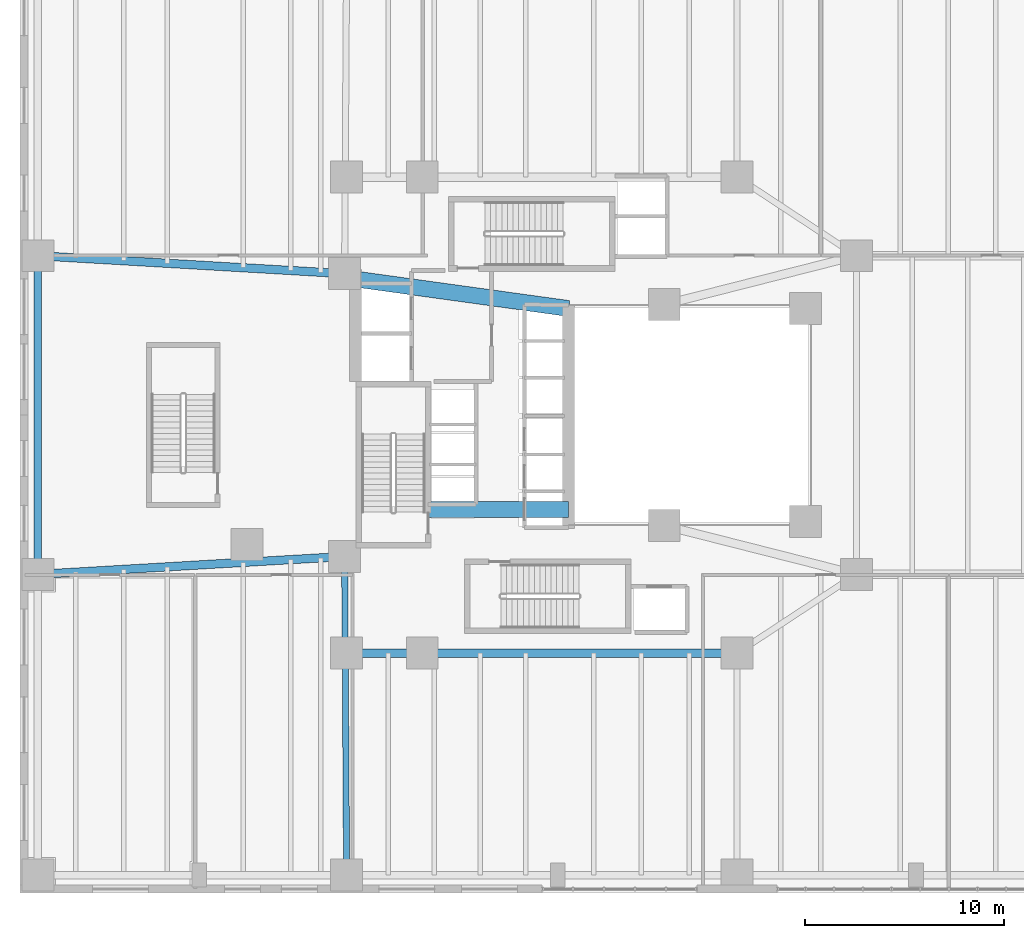
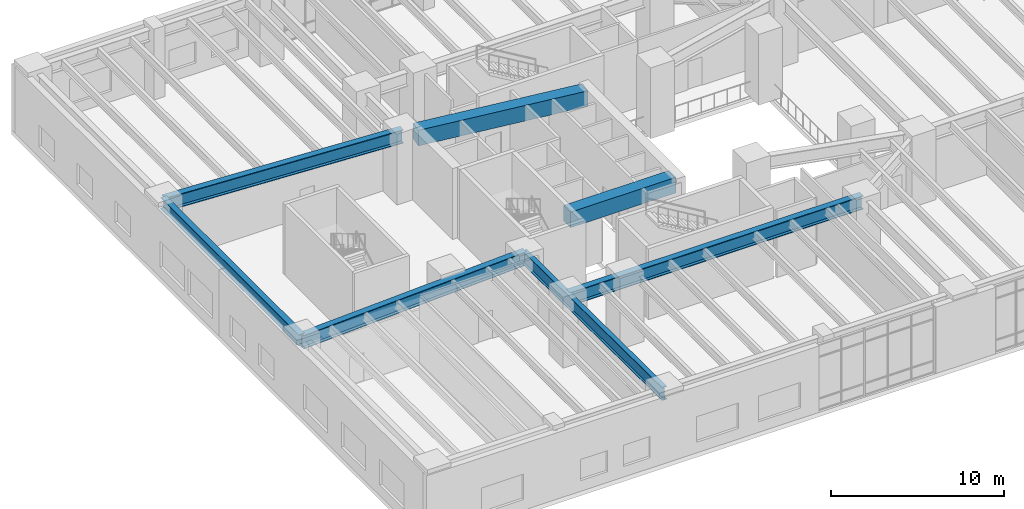
# One storey, part 3 of 26: 7 beams.
"""IFC4 building model written with IfcOpenShell, lengths in metres."""

from ifc_helpers import new_model, si_unit, direction, frame, origin, origin_2d, place, context, subcontext, project, spatial, rectangle, i_section, extrude, material, material_profile, profile_set, type_object, element, save


model = new_model("IFC4")

# Units and contexts
model_context = context("Model", 3, precision=1e-05, world=origin(), true_north=direction((0.0, 1.0)))
body_context = subcontext(model_context, "Body", "Model", "MODEL_VIEW")
ifc_project = project(units=[si_unit("LENGTHUNIT", "METRE"), si_unit("AREAUNIT", "SQUARE_METRE"), si_unit("VOLUMEUNIT", "CUBIC_METRE"), si_unit("PLANEANGLEUNIT", "RADIAN"), si_unit("MASSUNIT", "GRAM", prefix="KILO"), si_unit("THERMODYNAMICTEMPERATUREUNIT", "KELVIN"), si_unit("POWERUNIT", "WATT")], contexts=[model_context])

# Site, building, storey
site_placement = place(None, origin())
site = spatial("IfcSite", under=ifc_project, at=site_placement, CompositionType="ELEMENT")
building_placement = place(site_placement, origin())
building = spatial("IfcBuilding", under=site, at=building_placement, Name="Skarre Station Tower", CompositionType="ELEMENT")
storey_placement = place(building_placement, frame((0.0, 0.0, 6.0)))
storey = spatial("IfcBuildingStorey", under=building, at=storey_placement, Name="L02", CompositionType="ELEMENT", Elevation=6.0)

# Beams
ifc_material_1 = material(Name="Concrete C70/85", Category="concrete")
ifc_material_profile_1 = material_profile(ifc_material_1, rectangle(XDim=0.800048828125, YDim=1.10009765625, at=origin_2d()), Name="Concrete C70/85")
ifc_profile_set_1 = profile_set([ifc_material_profile_1], Name="Concrete C70/85")
beam_type_1 = type_object("IfcBeamType", Name="RC Core Coupling Lintel 800x1100", PredefinedType="LINTEL", material=ifc_profile_set_1)
beam_1_placement = place(storey_placement, frame((20.489990234375, 19.260009765625, 4.139892578125), z_axis=(1.0, 0.0, 0.0), x_axis=(0.0, 1.0, 0.0)))
element("IfcBeam", 1, at=beam_1_placement, inside=storey, type_object=beam_type_1, Name="L02 South Core Coupling Lintel", PredefinedType="LINTEL", context=body_context, shape_type="SweptSolid", body=[
    extrude(rectangle(XDim=0.800048828125, YDim=1.10009765625, at=origin_2d()), origin(), (0.0, 0.0, 1.0), 7.06005859375),
])
beam_2_placement = place(storey_placement, frame((17.050048828125, 30.800048828125, 4.139892578125), z_axis=(0.990599723633, -0.136792498109, 0.0), x_axis=(0.136792498109, 0.990599723633, 0.0)))
element("IfcBeam", 2, at=beam_2_placement, inside=storey, type_object=beam_type_1, Name="L02 North Core Coupling Lintel", PredefinedType="LINTEL", context=body_context, shape_type="SweptSolid", body=[
    extrude(rectangle(XDim=0.800048828125, YDim=1.10009765625, at=origin_2d()), origin(), (0.0, 0.0, 1.0), 10.599609375),
])
ifc_material_2 = material(Name="Steel ASTM A992 Grade 50", Category="steel")
ifc_material_profile_2 = material_profile(ifc_material_2, i_section(OverallWidth=0.30810546875, OverallDepth=0.927001953125, WebThickness=0.01904296875, FlangeThickness=0.031982421875, at=origin_2d()), Name="Steel ASTM A992 Grade 50")
ifc_profile_set_2 = profile_set([ifc_material_profile_2], Name="Steel ASTM A992 Grade 50")
beam_type_2 = type_object("IfcBeamType", Name="Steel Beam W36X194", PredefinedType="BEAM", material=ifc_profile_set_2)
beam_3_placement = place(storey_placement, frame((16.39990234375, 0.89990234375, 4.22607421875), z_axis=(-0.006240723195, 0.999980526497, 0.0), x_axis=(-0.999980526497, -0.006240723195, 0.0)))
element("IfcBeam", 3, at=beam_3_placement, inside=storey, type_object=beam_type_2, Name="L02 Concourse Transverse Girder NS1", PredefinedType="BEAM", context=body_context, shape_type="SweptSolid", body=[
    extrude(i_section(OverallWidth=0.30810546875, OverallDepth=0.927001953125, WebThickness=0.01904296875, FlangeThickness=0.031982421875, at=origin_2d()), origin(), (0.0, 0.0, 1.0), 16.000244140625),
])
ifc_material_profile_3 = material_profile(ifc_material_2, i_section(OverallWidth=0.423095703125, OverallDepth=0.947998046875, WebThickness=0.02392578125, FlangeThickness=0.04296875, at=origin_2d()), Name="Steel ASTM A992 Grade 50")
ifc_profile_set_3 = profile_set([ifc_material_profile_3], Name="Steel ASTM A992 Grade 50")
beam_type_3 = type_object("IfcBeamType", Name="Steel Beam W36X302", PredefinedType="BEAM", material=ifc_profile_set_3)
for number, where, z_axis, x_axis, name in (
    (4, (0.89990234375, 16.0, 4.216064453125), (0.99829705511, 0.05833515029, 0.0), (-0.05833515029, 0.99829705511, 0.0), "L02 Concourse Primary Girder EW1"),
    (5, (0.89990234375, 32.0, 4.216064453125), (0.99829705511, -0.05833515029, 0.0), (0.05833515029, 0.99829705511, 0.0), "L02 Concourse Primary Girder EW5"),
):
    element("IfcBeam", number, at=place(storey_placement, frame(where, z_axis=z_axis, x_axis=x_axis)), inside=storey, type_object=beam_type_3, Name=name, PredefinedType="BEAM", context=body_context, shape_type="SweptSolid", body=[
        extrude(i_section(OverallWidth=0.423095703125, OverallDepth=0.947998046875, WebThickness=0.02392578125, FlangeThickness=0.04296875, at=origin_2d()), origin(), (0.0, 0.0, 1.0), 15.426513671875),
    ])
beam_4_placement = place(storey_placement, frame((16.39990234375, 12.050048828125, 4.216064453125), z_axis=(1.0, 0.0, 0.0), x_axis=(0.0, 1.0, 0.0)))
element("IfcBeam", 6, at=beam_4_placement, inside=storey, type_object=beam_type_3, Name="L02 Concourse Primary Girder HDRS", PredefinedType="BEAM", context=body_context, shape_type="SweptSolid", body=[
    extrude(i_section(OverallWidth=0.423095703125, OverallDepth=0.947998046875, WebThickness=0.02392578125, FlangeThickness=0.04296875, at=origin_2d()), origin(), (0.0, 0.0, 1.0), 19.60009765625),
])
ifc_material_profile_4 = material_profile(ifc_material_2, i_section(OverallWidth=0.384033203125, OverallDepth=0.785888671875, WebThickness=0.02001953125, FlangeThickness=0.032958984375, at=origin_2d()), Name="Steel ASTM A992 Grade 50")
ifc_profile_set_4 = profile_set([ifc_material_profile_4], Name="Steel ASTM A992 Grade 50")
beam_type_4 = type_object("IfcBeamType", Name="Steel Spandrel W30X211", PredefinedType="SPANDREL", material=ifc_profile_set_4)
beam_5_placement = place(storey_placement, frame((0.89990234375, 16.0, 4.297119140625), z_axis=(0.0, 1.0, 0.0), x_axis=(-1.0, 0.0, 0.0)))
element("IfcBeam", 7, at=beam_5_placement, inside=storey, type_object=beam_type_4, Name="L02 West Podium Spandrel 2", PredefinedType="SPANDREL", context=body_context, shape_type="SweptSolid", body=[
    extrude(i_section(OverallWidth=0.384033203125, OverallDepth=0.785888671875, WebThickness=0.02001953125, FlangeThickness=0.032958984375, at=origin_2d()), origin(), (0.0, 0.0, 1.0), 16.0),
])

save(model, "model.ifc")
